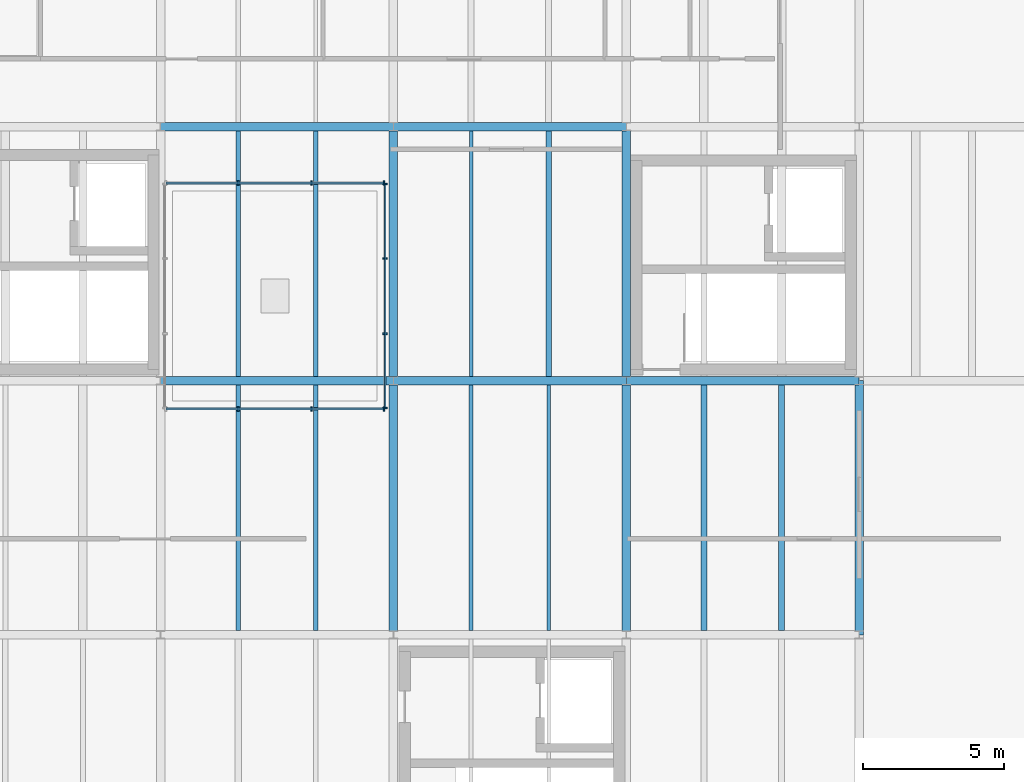
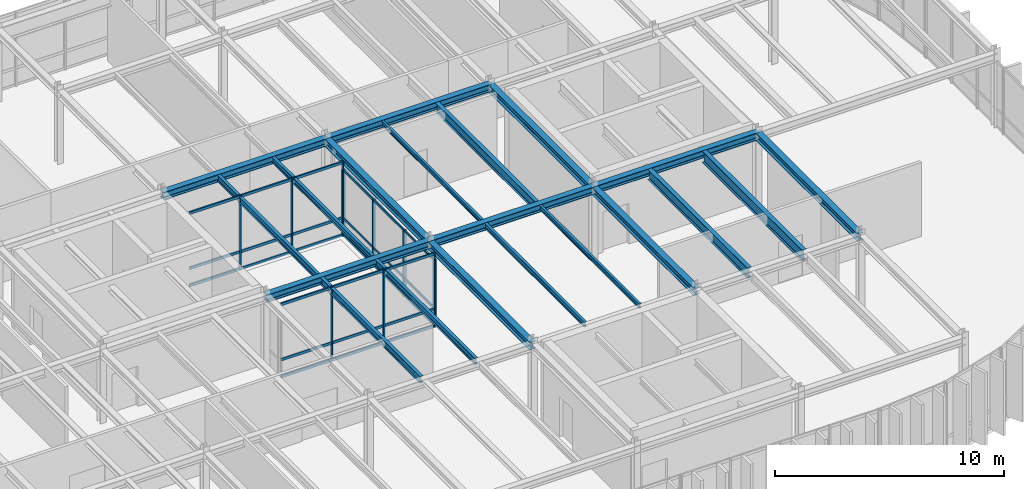
# One storey, part 11 of 21: 20 beams, 19 members, 3 elements without a shape of their own.
"""IFC4 building model written with IfcOpenShell, lengths in metres."""

from ifc_helpers import new_model, si_unit, direction, frame, origin, origin_2d, place, context, subcontext, project, spatial, rectangle, i_section, extrude, material, layer, layer_set, material_profile, profile_set, type_object, element, aggregate, save


model = new_model("IFC4")

# Units and contexts
model_context = context("Model", 3, precision=1e-05, world=origin(), true_north=direction((0.0, 1.0)))
body_context = subcontext(model_context, "Body", "Model", "MODEL_VIEW")
ifc_project = project(units=[si_unit("LENGTHUNIT", "METRE"), si_unit("AREAUNIT", "SQUARE_METRE"), si_unit("VOLUMEUNIT", "CUBIC_METRE"), si_unit("PLANEANGLEUNIT", "RADIAN"), si_unit("MASSUNIT", "GRAM", prefix="KILO")], contexts=[model_context])

# Site, building, storey
site_placement = place(None, origin())
site = spatial("IfcSite", under=ifc_project, at=site_placement, CompositionType="ELEMENT")
building_placement = place(site_placement, origin())
building = spatial("IfcBuilding", under=site, at=building_placement, Name="Montealbar Specialist Clinic", CompositionType="ELEMENT")
storey_placement = place(building_placement, frame((0.0, 0.0, 26.39990234375)))
storey = spatial("IfcBuildingStorey", under=building, at=storey_placement, Name="L06", CompositionType="ELEMENT", Elevation=26.39990234375)

# Beams
ifc_material_1 = material(Name="Steel S355", Category="steel")
ifc_material_profile_1 = material_profile(ifc_material_1, i_section(OverallWidth=0.300048828125, OverallDepth=0.39990234375, WebThickness=0.013427734375, FlangeThickness=0.02392578125, FilletRadius=0.027099609375, at=origin_2d()), Name="HEB 400", Category="steel")
ifc_profile_set_1 = profile_set([ifc_material_profile_1], Name="Steel S355")
beam_type_1 = type_object("IfcBeamType", Name="BM-GIRD-HEB400-EXT", PredefinedType="BEAM", material=ifc_profile_set_1)
for number, where, z_axis, x_axis, name in (
    (1, (74.25, 27.0, 3.72998046875), (1.0, 0.0, 0.0), (0.0, 1.0, 0.0), "Beam GX-L06-742-825-270"),
    (2, (82.5, 27.0, 3.72998046875), (1.0, 0.0, 0.0), (0.0, 1.0, 0.0), "Beam GX-L06-825-908-270"),
    (3, (90.75, 27.0, 3.72998046875), (1.0, 0.0, 0.0), (0.0, 1.0, 0.0), "Beam GX-L06-908-990-270"),
    (4, (74.25, 36.0, 3.72998046875), (1.0, 0.0, 0.0), (0.0, 1.0, 0.0), "Beam GX-L06-742-825-360"),
    (5, (82.5, 36.0, 3.72998046875), (1.0, 0.0, 0.0), (0.0, 1.0, 0.0), "Beam GX-L06-825-908-360"),
):
    element("IfcBeam", number, at=place(storey_placement, frame(where, z_axis=z_axis, x_axis=x_axis)), inside=storey, type_object=beam_type_1, Name=name, PredefinedType="BEAM", context=body_context, shape_type="SweptSolid", body=[
        extrude(i_section(OverallWidth=0.300048828125, OverallDepth=0.39990234375, WebThickness=0.013427734375, FlangeThickness=0.02392578125, FilletRadius=0.027099609375, at=origin_2d()), origin(), (0.0, 0.0, 1.0), 8.25),
    ])
for number, where, z_axis, x_axis, name in (
    (6, (82.5, 18.0, 3.72998046875), (0.0, 1.0, 0.0), (-1.0, 0.0, 0.0), "Beam GY-L06-825-180-270"),
    (7, (82.5, 27.0, 3.72998046875), (0.0, 1.0, 0.0), (-1.0, 0.0, 0.0), "Beam GY-L06-825-270-360"),
    (8, (90.75, 18.0, 3.72998046875), (0.0, 1.0, 0.0), (-1.0, 0.0, 0.0), "Beam GY-L06-908-180-270"),
    (9, (90.75, 27.0, 3.72998046875), (0.0, 1.0, 0.0), (-1.0, 0.0, 0.0), "Beam GY-L06-908-270-360"),
    (10, (99.0, 18.0, 3.72998046875), (0.0, 1.0, 0.0), (-1.0, 0.0, 0.0), "Beam GY-L06-990-180-270"),
):
    element("IfcBeam", number, at=place(storey_placement, frame(where, z_axis=z_axis, x_axis=x_axis)), inside=storey, type_object=beam_type_1, Name=name, PredefinedType="BEAM", context=body_context, shape_type="SweptSolid", body=[
        extrude(i_section(OverallWidth=0.300048828125, OverallDepth=0.39990234375, WebThickness=0.013427734375, FlangeThickness=0.02392578125, FilletRadius=0.027099609375, at=origin_2d()), origin(), (0.0, 0.0, 1.0), 9.0),
    ])
ifc_material_profile_2 = material_profile(ifc_material_1, i_section(OverallWidth=0.1201171875, OverallDepth=0.239990234375, WebThickness=0.006103515625, FlangeThickness=0.009765625, FilletRadius=0.014892578125, at=origin_2d()), Name="IPE 240", Category="steel")
ifc_profile_set_2 = profile_set([ifc_material_profile_2], Name="Steel S355")
beam_type_2 = type_object("IfcBeamType", Name="BM-JST-IPE240", PredefinedType="JOIST", material=ifc_profile_set_2)
for number, where, z_axis, x_axis, name in (
    (11, (88.0, 18.14990234375, 3.81005859375), (0.0, 1.0, 0.0), (-1.0, 0.0, 0.0), "Beam JST-L06-880-182-268"),
    (12, (85.25, 27.14990234375, 3.81005859375), (0.0, 1.0, 0.0), (-1.0, 0.0, 0.0), "Beam JST-L06-852-272-358"),
):
    element("IfcBeam", number, at=place(storey_placement, frame(where, z_axis=z_axis, x_axis=x_axis)), inside=storey, type_object=beam_type_2, Name=name, PredefinedType="JOIST", context=body_context, shape_type="SweptSolid", body=[
        extrude(i_section(OverallWidth=0.1201171875, OverallDepth=0.239990234375, WebThickness=0.006103515625, FlangeThickness=0.009765625, FilletRadius=0.014892578125, at=origin_2d()), origin(), (0.0, 0.0, 1.0), 8.7001953125),
    ])
ifc_material_profile_3 = material_profile(ifc_material_1, i_section(OverallWidth=0.135009765625, OverallDepth=0.27001953125, WebThickness=0.006591796875, FlangeThickness=0.01025390625, FilletRadius=0.014892578125, at=origin_2d()), Name="IPE 270", Category="steel")
ifc_profile_set_3 = profile_set([ifc_material_profile_3], Name="Steel S355")
beam_type_3 = type_object("IfcBeamType", Name="BM-JST-IPE270", PredefinedType="JOIST", material=ifc_profile_set_3)
beam_1_placement = place(storey_placement, frame((85.25, 18.14990234375, 3.795166015625), z_axis=(0.0, 1.0, 0.0), x_axis=(-1.0, 0.0, 0.0)))
element("IfcBeam", 13, at=beam_1_placement, inside=storey, type_object=beam_type_3, Name="Beam JST-L06-852-182-268", PredefinedType="JOIST", context=body_context, shape_type="SweptSolid", body=[
    extrude(i_section(OverallWidth=0.135009765625, OverallDepth=0.27001953125, WebThickness=0.006591796875, FlangeThickness=0.01025390625, FilletRadius=0.014892578125, at=origin_2d()), origin(), (0.0, 0.0, 1.0), 8.7001953125),
])
ifc_material_profile_4 = material_profile(ifc_material_1, i_section(OverallWidth=0.14990234375, OverallDepth=0.300048828125, WebThickness=0.007080078125, FlangeThickness=0.0107421875, FilletRadius=0.014892578125, at=origin_2d()), Name="IPE 300", Category="steel")
ifc_profile_set_4 = profile_set([ifc_material_profile_4], Name="Steel S355")
beam_type_4 = type_object("IfcBeamType", Name="BM-JST-IPE300", PredefinedType="JOIST", material=ifc_profile_set_4)
beam_2_placement = place(storey_placement, frame((79.75, 27.14990234375, 3.780029296875), z_axis=(0.0, 1.0, 0.0), x_axis=(-1.0, 0.0, 0.0)))
element("IfcBeam", 14, at=beam_2_placement, inside=storey, type_object=beam_type_4, Name="Beam JST-L06-798-272-358", PredefinedType="JOIST", context=body_context, shape_type="SweptSolid", body=[
    extrude(i_section(OverallWidth=0.14990234375, OverallDepth=0.300048828125, WebThickness=0.007080078125, FlangeThickness=0.0107421875, FilletRadius=0.014892578125, at=origin_2d()), origin(), (0.0, 0.0, 1.0), 8.7001953125),
])
ifc_material_profile_5 = material_profile(ifc_material_1, i_section(OverallWidth=0.159912109375, OverallDepth=0.330078125, WebThickness=0.007568359375, FlangeThickness=0.011474609375, FilletRadius=0.01806640625, at=origin_2d()), Name="IPE 330", Category="steel")
ifc_profile_set_5 = profile_set([ifc_material_profile_5], Name="Steel S355")
beam_type_5 = type_object("IfcBeamType", Name="BM-JST-IPE330", PredefinedType="JOIST", material=ifc_profile_set_5)
for number, where, z_axis, x_axis, name in (
    (15, (79.75, 18.14990234375, 3.76513671875), (0.0, 1.0, 0.0), (-1.0, 0.0, 0.0), "Beam JST-L06-798-182-268"),
    (16, (77.0, 27.14990234375, 3.76513671875), (0.0, 1.0, 0.0), (-1.0, 0.0, 0.0), "Beam JST-L06-770-272-358"),
):
    element("IfcBeam", number, at=place(storey_placement, frame(where, z_axis=z_axis, x_axis=x_axis)), inside=storey, type_object=beam_type_5, Name=name, PredefinedType="JOIST", context=body_context, shape_type="SweptSolid", body=[
        extrude(i_section(OverallWidth=0.159912109375, OverallDepth=0.330078125, WebThickness=0.007568359375, FlangeThickness=0.011474609375, FilletRadius=0.01806640625, at=origin_2d()), origin(), (0.0, 0.0, 1.0), 8.7001953125),
    ])
ifc_material_profile_6 = material_profile(ifc_material_1, i_section(OverallWidth=0.169921875, OverallDepth=0.360107421875, WebThickness=0.008056640625, FlangeThickness=0.0126953125, FilletRadius=0.01806640625, at=origin_2d()), Name="IPE 360", Category="steel")
ifc_profile_set_6 = profile_set([ifc_material_profile_6], Name="Steel S355")
beam_type_6 = type_object("IfcBeamType", Name="BM-JST-IPE360", PredefinedType="JOIST", material=ifc_profile_set_6)
beam_3_placement = place(storey_placement, frame((77.0, 18.14990234375, 3.75), z_axis=(0.0, 1.0, 0.0), x_axis=(-1.0, 0.0, 0.0)))
element("IfcBeam", 17, at=beam_3_placement, inside=storey, type_object=beam_type_6, Name="Beam JST-L06-770-182-268", PredefinedType="JOIST", context=body_context, shape_type="SweptSolid", body=[
    extrude(i_section(OverallWidth=0.169921875, OverallDepth=0.360107421875, WebThickness=0.008056640625, FlangeThickness=0.0126953125, FilletRadius=0.01806640625, at=origin_2d()), origin(), (0.0, 0.0, 1.0), 8.7001953125),
])
ifc_material_profile_7 = material_profile(ifc_material_1, i_section(OverallWidth=0.199951171875, OverallDepth=0.5, WebThickness=0.01025390625, FlangeThickness=0.01611328125, FilletRadius=0.02099609375, at=origin_2d()), Name="IPE 500", Category="steel")
ifc_profile_set_7 = profile_set([ifc_material_profile_7], Name="Steel S355")
beam_type_7 = type_object("IfcBeamType", Name="BM-JST-IPE500", PredefinedType="JOIST", material=ifc_profile_set_7)
beam_4_placement = place(storey_placement, frame((88.0, 27.14990234375, 3.68017578125), z_axis=(0.0, 1.0, 0.0), x_axis=(-1.0, 0.0, 0.0)))
element("IfcBeam", 18, at=beam_4_placement, inside=storey, type_object=beam_type_7, Name="Beam JST-L06-880-272-358", PredefinedType="JOIST", context=body_context, shape_type="SweptSolid", body=[
    extrude(i_section(OverallWidth=0.199951171875, OverallDepth=0.5, WebThickness=0.01025390625, FlangeThickness=0.01611328125, FilletRadius=0.02099609375, at=origin_2d()), origin(), (0.0, 0.0, 1.0), 8.7001953125),
])
ifc_material_profile_8 = material_profile(ifc_material_1, i_section(OverallWidth=0.2099609375, OverallDepth=0.550048828125, WebThickness=0.010986328125, FlangeThickness=0.01708984375, FilletRadius=0.02392578125, at=origin_2d()), Name="IPE 550", Category="steel")
ifc_profile_set_8 = profile_set([ifc_material_profile_8], Name="Steel S355")
beam_type_8 = type_object("IfcBeamType", Name="BM-JST-IPE550", PredefinedType="JOIST", material=ifc_profile_set_8)
beam_5_placement = place(storey_placement, frame((93.5, 18.14990234375, 3.655029296875), z_axis=(0.0, 1.0, 0.0), x_axis=(-1.0, 0.0, 0.0)))
element("IfcBeam", 19, at=beam_5_placement, inside=storey, type_object=beam_type_8, Name="Beam JST-L06-935-182-268", PredefinedType="JOIST", context=body_context, shape_type="SweptSolid", body=[
    extrude(i_section(OverallWidth=0.2099609375, OverallDepth=0.550048828125, WebThickness=0.010986328125, FlangeThickness=0.01708984375, FilletRadius=0.02392578125, at=origin_2d()), origin(), (0.0, 0.0, 1.0), 8.7001953125),
])
ifc_material_profile_9 = material_profile(ifc_material_1, i_section(OverallWidth=0.219970703125, OverallDepth=0.60009765625, WebThickness=0.011962890625, FlangeThickness=0.01904296875, FilletRadius=0.02392578125, at=origin_2d()), Name="IPE 600", Category="steel")
ifc_profile_set_9 = profile_set([ifc_material_profile_9], Name="Steel S355")
beam_type_9 = type_object("IfcBeamType", Name="BM-JST-IPE600", PredefinedType="JOIST", material=ifc_profile_set_9)
beam_6_placement = place(storey_placement, frame((96.25, 18.14990234375, 3.630126953125), z_axis=(0.0, 1.0, 0.0), x_axis=(-1.0, 0.0, 0.0)))
element("IfcBeam", 20, at=beam_6_placement, inside=storey, type_object=beam_type_9, Name="Beam JST-L06-962-182-268", PredefinedType="JOIST", context=body_context, shape_type="SweptSolid", body=[
    extrude(i_section(OverallWidth=0.219970703125, OverallDepth=0.60009765625, WebThickness=0.011962890625, FlangeThickness=0.01904296875, FilletRadius=0.02392578125, at=origin_2d()), origin(), (0.0, 0.0, 1.0), 8.7001953125),
])

# Curtain wall, members
ifc_material_2 = material(Name="Low-E double glazing", Category="glass")
ifc_layer_1 = layer(ifc_material_2, 0.199951171875, Name="Low-E double glazing", Category="glass")
ifc_layer_set_1 = layer_set([ifc_layer_1], Name="Low-E double glazing")
curtain_wall_type_1 = type_object("IfcCurtainWallType", Name="CW-TYPE-45", PredefinedType="NOTDEFINED", material=ifc_layer_set_1)
curtain_wall_1_placement = place(storey_placement, origin())
curtain_wall_1 = element("IfcCurtainWall", 21, at=curtain_wall_1_placement, inside=storey, type_object=curtain_wall_type_1, Name="Unitised Curtain Wall CW-L06-744-260-822-260-264", PredefinedType="NOTDEFINED")
ifc_material_3 = material(Name="Anodised aluminium EN AW-6063", Category="aluminium")
ifc_material_profile_10 = material_profile(ifc_material_3, rectangle(XDim=0.06005859375, YDim=0.159912109375, at=origin_2d()), Name="ALU 60x160", Category="aluminium")
ifc_profile_set_10 = profile_set([ifc_material_profile_10], Name="Anodised aluminium EN AW-6063")
member_type_1 = type_object("IfcMemberType", Name="CW-MUL-160", PredefinedType="MULLION", material=ifc_profile_set_10)
member_1_placement = place(storey_placement, frame((77.0, 26.0, 0.0), z_axis=(0.0, 0.0, 1.0), x_axis=(1.0, 0.0, 0.0)))
member_1 = element("IfcMember", 22, at=member_1_placement, type_object=member_type_1, Name="Curtain Wall Mullion CW-L06-744-260-822-260-264-01", PredefinedType="MULLION", context=body_context, shape_type="SweptSolid", body=[
    extrude(rectangle(XDim=0.06005859375, YDim=0.159912109375, at=origin_2d()), origin(), (0.0, 0.0, 1.0), 3.93017578125),
])
member_2_placement = place(storey_placement, frame((79.60009765625, 26.0, 0.0), z_axis=(0.0, 0.0, 1.0), x_axis=(1.0, 0.0, 0.0)))
member_2 = element("IfcMember", 23, at=member_2_placement, type_object=member_type_1, Name="Curtain Wall Mullion CW-L06-744-260-822-260-264-02", PredefinedType="MULLION", context=body_context, shape_type="SweptSolid", body=[
    extrude(rectangle(XDim=0.06005859375, YDim=0.159912109375, at=origin_2d()), origin(), (0.0, 0.0, 1.0), 3.93017578125),
])
member_3_placement = place(storey_placement, frame((82.1650390625, 26.0, 0.0), z_axis=(0.0, 0.0, 1.0), x_axis=(1.0, 0.0, 0.0)))
member_3 = element("IfcMember", 24, at=member_3_placement, type_object=member_type_1, Name="Curtain Wall Mullion CW-L06-744-260-822-260-264-03", PredefinedType="MULLION", context=body_context, shape_type="SweptSolid", body=[
    extrude(rectangle(XDim=0.06005859375, YDim=0.159912109375, at=origin_2d()), origin(), (0.0, 0.0, 1.0), 3.93017578125),
])

ifc_layer_2 = layer(ifc_material_2, 0.199951171875, Name="Low-E double glazing", Category="glass")
ifc_layer_set_2 = layer_set([ifc_layer_2], Name="Low-E double glazing")
curtain_wall_type_2 = type_object("IfcCurtainWallType", Name="CW-TYPE-46", PredefinedType="NOTDEFINED", material=ifc_layer_set_2)
curtain_wall_2_placement = place(storey_placement, origin())
curtain_wall_2 = element("IfcCurtainWall", 25, at=curtain_wall_2_placement, inside=storey, type_object=curtain_wall_type_2, Name="Unitised Curtain Wall CW-L06-822-260-822-340-264", PredefinedType="NOTDEFINED")
member_4_placement = place(storey_placement, frame((82.199951171875, 26.034912109375, 0.0), z_axis=(0.0, 0.0, 1.0), x_axis=(0.0, 1.0, 0.0)))
member_4 = element("IfcMember", 26, at=member_4_placement, type_object=member_type_1, Name="Curtain Wall Mullion CW-L06-822-260-822-340-264-00", PredefinedType="MULLION", context=body_context, shape_type="SweptSolid", body=[
    extrude(rectangle(XDim=0.06005859375, YDim=0.159912109375, at=origin_2d()), origin(), (0.0, 0.0, 1.0), 3.530029296875),
])
member_5_placement = place(storey_placement, frame((82.199951171875, 28.6669921875, 0.0), z_axis=(0.0, 0.0, 1.0), x_axis=(0.0, 1.0, 0.0)))
member_5 = element("IfcMember", 27, at=member_5_placement, type_object=member_type_1, Name="Curtain Wall Mullion CW-L06-822-260-822-340-264-01", PredefinedType="MULLION", context=body_context, shape_type="SweptSolid", body=[
    extrude(rectangle(XDim=0.06005859375, YDim=0.159912109375, at=origin_2d()), origin(), (0.0, 0.0, 1.0), 3.530029296875),
])
member_6_placement = place(storey_placement, frame((82.199951171875, 31.3330078125, 0.0), z_axis=(0.0, 0.0, 1.0), x_axis=(0.0, 1.0, 0.0)))
member_6 = element("IfcMember", 28, at=member_6_placement, type_object=member_type_1, Name="Curtain Wall Mullion CW-L06-822-260-822-340-264-02", PredefinedType="MULLION", context=body_context, shape_type="SweptSolid", body=[
    extrude(rectangle(XDim=0.06005859375, YDim=0.159912109375, at=origin_2d()), origin(), (0.0, 0.0, 1.0), 3.530029296875),
])
member_7_placement = place(storey_placement, frame((82.199951171875, 33.965087890625, 0.0), z_axis=(0.0, 0.0, 1.0), x_axis=(0.0, 1.0, 0.0)))
member_7 = element("IfcMember", 29, at=member_7_placement, type_object=member_type_1, Name="Curtain Wall Mullion CW-L06-822-260-822-340-264-03", PredefinedType="MULLION", context=body_context, shape_type="SweptSolid", body=[
    extrude(rectangle(XDim=0.06005859375, YDim=0.159912109375, at=origin_2d()), origin(), (0.0, 0.0, 1.0), 3.530029296875),
])

curtain_wall_3_placement = place(storey_placement, origin())
curtain_wall_3 = element("IfcCurtainWall", 30, at=curtain_wall_3_placement, inside=storey, type_object=curtain_wall_type_1, Name="Unitised Curtain Wall CW-L06-822-340-744-340-264", PredefinedType="NOTDEFINED")
member_8_placement = place(storey_placement, frame((82.1650390625, 34.0, 0.0), z_axis=(0.0, 0.0, 1.0), x_axis=(-1.0, 0.0, 0.0)))
member_8 = element("IfcMember", 31, at=member_8_placement, type_object=member_type_1, Name="Curtain Wall Mullion CW-L06-822-340-744-340-264-00", PredefinedType="MULLION", context=body_context, shape_type="SweptSolid", body=[
    extrude(rectangle(XDim=0.06005859375, YDim=0.159912109375, at=origin_2d()), origin(), (0.0, 0.0, 1.0), 3.93017578125),
])
member_9_placement = place(storey_placement, frame((79.60009765625, 34.0, 0.0), z_axis=(0.0, 0.0, 1.0), x_axis=(-1.0, 0.0, 0.0)))
member_9 = element("IfcMember", 32, at=member_9_placement, type_object=member_type_1, Name="Curtain Wall Mullion CW-L06-822-340-744-340-264-01", PredefinedType="MULLION", context=body_context, shape_type="SweptSolid", body=[
    extrude(rectangle(XDim=0.06005859375, YDim=0.159912109375, at=origin_2d()), origin(), (0.0, 0.0, 1.0), 3.93017578125),
])
member_10_placement = place(storey_placement, frame((77.0, 34.0, 0.0), z_axis=(0.0, 0.0, 1.0), x_axis=(-1.0, 0.0, 0.0)))
member_10 = element("IfcMember", 33, at=member_10_placement, type_object=member_type_1, Name="Curtain Wall Mullion CW-L06-822-340-744-340-264-02", PredefinedType="MULLION", context=body_context, shape_type="SweptSolid", body=[
    extrude(rectangle(XDim=0.06005859375, YDim=0.159912109375, at=origin_2d()), origin(), (0.0, 0.0, 1.0), 3.93017578125),
])

# Member
ifc_material_4 = material(Name="Powder-coated aluminium", Category="aluminium")
ifc_material_profile_11 = material_profile(ifc_material_4, rectangle(XDim=0.06005859375, YDim=0.1201171875, at=origin_2d()), Name="ALU 60x120", Category="aluminium")
ifc_profile_set_11 = profile_set([ifc_material_profile_11], Name="Powder-coated aluminium")
member_type_2 = type_object("IfcMemberType", Name="CW-TRN-120", PredefinedType="USERDEFINED", material=ifc_profile_set_11)
member_11_placement = place(storey_placement, frame((82.199951171875, 26.050048828125, 0.0400390625), z_axis=(0.0, 1.0, 0.0), x_axis=(-1.0, 0.0, 0.0)))
member_11 = element("IfcMember", 34, at=member_11_placement, type_object=member_type_2, Name="Curtain Wall Transom CW-L06-822-260-822-340-264-00", ObjectType="TRANSOM", PredefinedType="USERDEFINED", context=body_context, shape_type="SweptSolid", body=[
    extrude(rectangle(XDim=0.06005859375, YDim=0.1201171875, at=origin_2d()), origin(), (0.0, 0.0, 1.0), 7.89990234375),
])

member_12_placement = place(storey_placement, frame((82.199951171875, 26.050048828125, 0.9501953125), z_axis=(0.0, 1.0, 0.0), x_axis=(-1.0, 0.0, 0.0)))
member_12 = element("IfcMember", 35, at=member_12_placement, type_object=member_type_2, Name="Curtain Wall Transom CW-L06-822-260-822-340-264-01", ObjectType="TRANSOM", PredefinedType="USERDEFINED", context=body_context, shape_type="SweptSolid", body=[
    extrude(rectangle(XDim=0.06005859375, YDim=0.1201171875, at=origin_2d()), origin(), (0.0, 0.0, 1.0), 7.89990234375),
])

member_13_placement = place(storey_placement, frame((82.199951171875, 26.050048828125, 3.489990234375), z_axis=(0.0, 1.0, 0.0), x_axis=(-1.0, 0.0, 0.0)))
member_13 = element("IfcMember", 36, at=member_13_placement, type_object=member_type_2, Name="Curtain Wall Transom CW-L06-822-260-822-340-264-02", ObjectType="TRANSOM", PredefinedType="USERDEFINED", context=body_context, shape_type="SweptSolid", body=[
    extrude(rectangle(XDim=0.06005859375, YDim=0.1201171875, at=origin_2d()), origin(), (0.0, 0.0, 1.0), 7.89990234375),
])

aggregate(curtain_wall_2, [member_4, member_5, member_6, member_7, member_11, member_12, member_13])

ifc_material_profile_12 = material_profile(ifc_material_4, rectangle(XDim=0.070068359375, YDim=0.139892578125, at=origin_2d()), Name="ALU 70x140", Category="aluminium")
ifc_profile_set_12 = profile_set([ifc_material_profile_12], Name="Powder-coated aluminium")
member_type_3 = type_object("IfcMemberType", Name="CW-TRN-140", PredefinedType="USERDEFINED", material=ifc_profile_set_12)
member_14_placement = place(storey_placement, frame((74.449951171875, 26.0, 0.0400390625), z_axis=(1.0, 0.0, 0.0), x_axis=(0.0, 1.0, 0.0)))
member_14 = element("IfcMember", 37, at=member_14_placement, type_object=member_type_3, Name="Curtain Wall Transom CW-L06-744-260-822-260-264-00", ObjectType="TRANSOM", PredefinedType="USERDEFINED", context=body_context, shape_type="SweptSolid", body=[
    extrude(rectangle(XDim=0.070068359375, YDim=0.139892578125, at=origin_2d()), origin(), (0.0, 0.0, 1.0), 7.699951171875),
])

member_15_placement = place(storey_placement, frame((74.449951171875, 26.0, 0.9501953125), z_axis=(1.0, 0.0, 0.0), x_axis=(0.0, 1.0, 0.0)))
member_15 = element("IfcMember", 38, at=member_15_placement, type_object=member_type_3, Name="Curtain Wall Transom CW-L06-744-260-822-260-264-01", ObjectType="TRANSOM", PredefinedType="USERDEFINED", context=body_context, shape_type="SweptSolid", body=[
    extrude(rectangle(XDim=0.070068359375, YDim=0.139892578125, at=origin_2d()), origin(), (0.0, 0.0, 1.0), 7.699951171875),
])

member_16_placement = place(storey_placement, frame((74.449951171875, 26.0, 3.89013671875), z_axis=(1.0, 0.0, 0.0), x_axis=(0.0, 1.0, 0.0)))
member_16 = element("IfcMember", 39, at=member_16_placement, type_object=member_type_3, Name="Curtain Wall Transom CW-L06-744-260-822-260-264-02", ObjectType="TRANSOM", PredefinedType="USERDEFINED", context=body_context, shape_type="SweptSolid", body=[
    extrude(rectangle(XDim=0.070068359375, YDim=0.139892578125, at=origin_2d()), origin(), (0.0, 0.0, 1.0), 7.699951171875),
])

aggregate(curtain_wall_1, [member_1, member_2, member_3, member_14, member_15, member_16])

member_17_placement = place(storey_placement, frame((82.14990234375, 34.0, 0.0400390625), z_axis=(-1.0, 0.0, 0.0), x_axis=(0.0, -1.0, 0.0)))
member_17 = element("IfcMember", 40, at=member_17_placement, type_object=member_type_3, Name="Curtain Wall Transom CW-L06-822-340-744-340-264-00", ObjectType="TRANSOM", PredefinedType="USERDEFINED", context=body_context, shape_type="SweptSolid", body=[
    extrude(rectangle(XDim=0.070068359375, YDim=0.139892578125, at=origin_2d()), origin(), (0.0, 0.0, 1.0), 7.699951171875),
])

member_18_placement = place(storey_placement, frame((82.14990234375, 34.0, 0.9501953125), z_axis=(-1.0, 0.0, 0.0), x_axis=(0.0, -1.0, 0.0)))
member_18 = element("IfcMember", 41, at=member_18_placement, type_object=member_type_3, Name="Curtain Wall Transom CW-L06-822-340-744-340-264-01", ObjectType="TRANSOM", PredefinedType="USERDEFINED", context=body_context, shape_type="SweptSolid", body=[
    extrude(rectangle(XDim=0.070068359375, YDim=0.139892578125, at=origin_2d()), origin(), (0.0, 0.0, 1.0), 7.699951171875),
])

member_19_placement = place(storey_placement, frame((82.14990234375, 34.0, 3.89013671875), z_axis=(-1.0, 0.0, 0.0), x_axis=(0.0, -1.0, 0.0)))
member_19 = element("IfcMember", 42, at=member_19_placement, type_object=member_type_3, Name="Curtain Wall Transom CW-L06-822-340-744-340-264-02", ObjectType="TRANSOM", PredefinedType="USERDEFINED", context=body_context, shape_type="SweptSolid", body=[
    extrude(rectangle(XDim=0.070068359375, YDim=0.139892578125, at=origin_2d()), origin(), (0.0, 0.0, 1.0), 7.699951171875),
])

aggregate(curtain_wall_3, [member_8, member_9, member_10, member_17, member_18, member_19])

save(model, "model.ifc")
